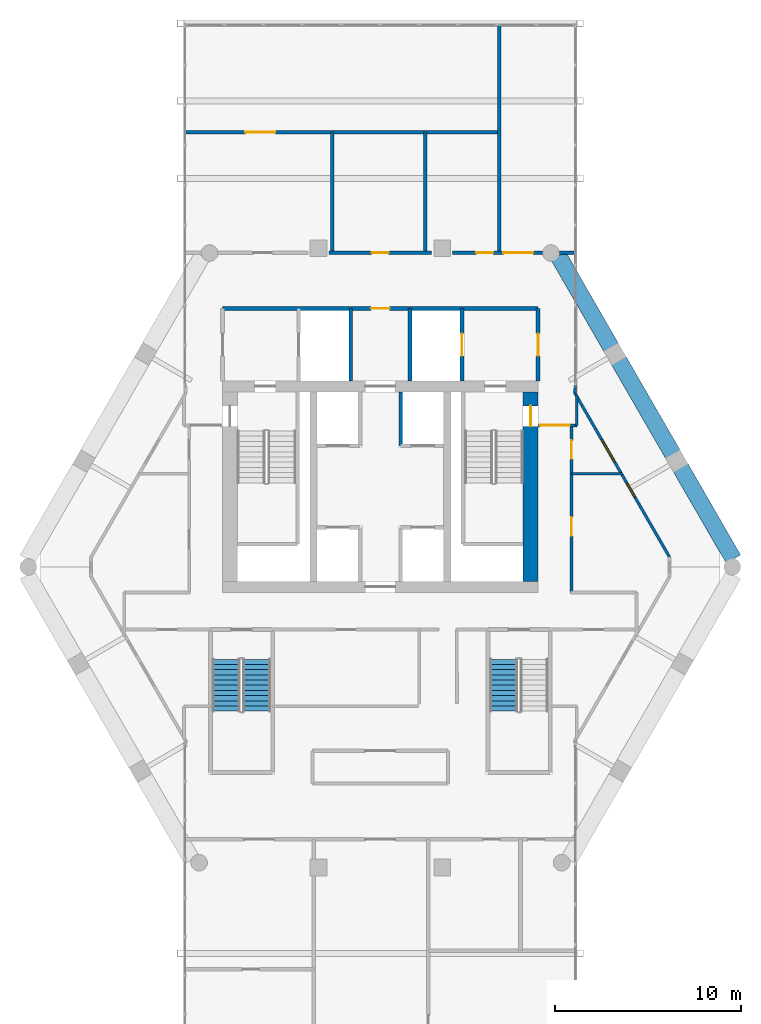
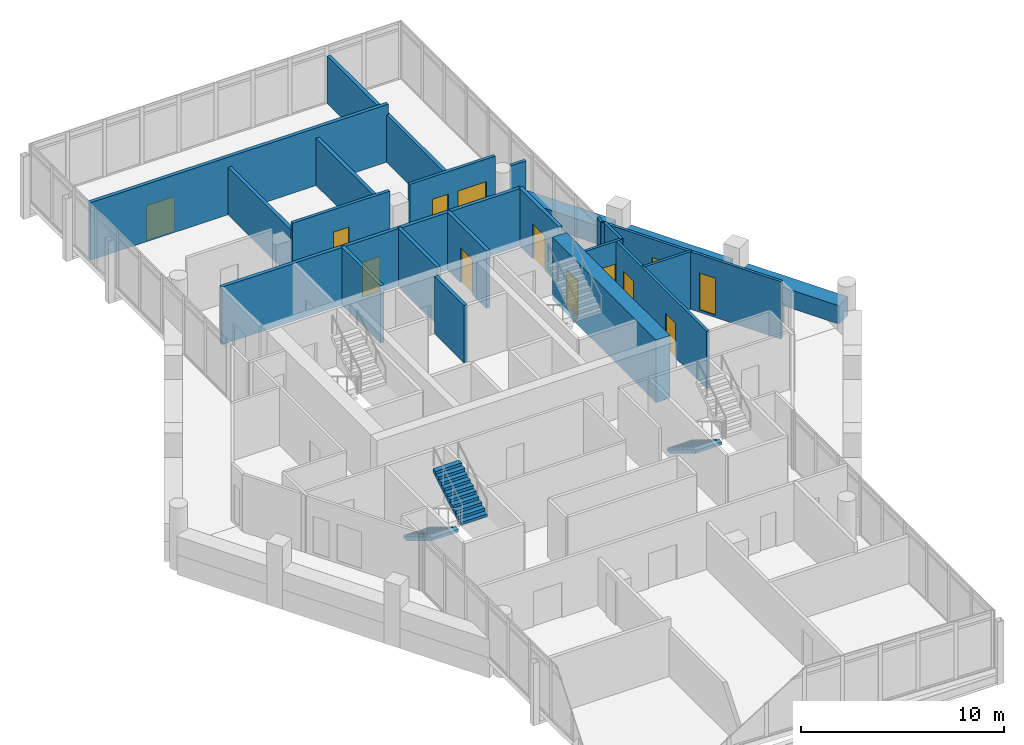
# One storey, part 23 of 25: 23 walls, 11 doors, 3 stair flights, 2 windows, 13 openings, 2 elements without a shape of their own.
"""IFC4 building model written with IfcOpenShell, lengths in metres."""

from ifc_helpers import new_model, si_unit, direction, frame, frame_2d, origin, place, context, subcontext, project, spatial, polyline, rectangle, outline, extrude, material, layer, layer_set, type_object, element, fill, aggregate, save


model = new_model("IFC4")

# Units and contexts
model_context = context("Model", 3, precision=1e-05, world=origin(), true_north=direction((0.0, 1.0)))
body_context = subcontext(model_context, "Body", "Model", "MODEL_VIEW")
ifc_project = project(units=[si_unit("LENGTHUNIT", "METRE"), si_unit("AREAUNIT", "SQUARE_METRE"), si_unit("VOLUMEUNIT", "CUBIC_METRE"), si_unit("PLANEANGLEUNIT", "RADIAN"), si_unit("MASSUNIT", "GRAM", prefix="KILO")], contexts=[model_context])

# Site, building, storey
site_placement = place(None, origin())
site = spatial("IfcSite", under=ifc_project, at=site_placement, CompositionType="ELEMENT")
building_placement = place(site_placement, origin())
building = spatial("IfcBuilding", under=site, at=building_placement, Name="Ostrander Bayou Hotel Tower", CompositionType="ELEMENT")
storey_placement = place(building_placement, frame((0.0, 0.0, 229.5)))
storey = spatial("IfcBuildingStorey", under=building, at=storey_placement, Name="L57", CompositionType="ELEMENT", Elevation=229.5)

# Wall, opening, door
ifc_material_1 = material(Name="Concrete f'c 60 MPa", Category="concrete")
ifc_layer_1 = layer(ifc_material_1, 0.800048828125)
ifc_layer_set_1 = layer_set([ifc_layer_1], Name="CW11 core spine wall 800 mm f'c 60 MPa")
wall_type_1 = type_object("IfcWallType", Name="CW11 core spine wall 800 mm f'c 60 MPa", PredefinedType="SHEAR", material=ifc_layer_set_1)
wall_1_placement = place(storey_placement, frame((8.10009765625, -1.10009765625, -0.300048828125), z_axis=(0.0, 0.0, 1.0), x_axis=(0.0, 1.0, 0.0)))
wall_1 = element("IfcWall", 1, at=wall_1_placement, inside=storey, type_object=wall_type_1, Name="CW11 L57 E", PredefinedType="SHEAR", context=body_context, shape_type="SweptSolid", body=[
    extrude(rectangle(XDim=10.2001953125, YDim=0.800048828125, at=frame_2d((5.10009765625, 0.0))), origin(), (0.0, 0.0, 1.0), 3.75),
])
opening_1_placement = place(wall_1_placement, frame((8.35009765625, 0.0, 0.0)))
opening_1 = element("IfcOpeningElement", 2, at=opening_1_placement, cuts=wall_1, Name="Opening T57-010", PredefinedType="OPENING", context=body_context, shape_type="SweptSolid", body=[
    extrude(rectangle(XDim=1.10009765625, YDim=2.10009765625, at=frame_2d((0.550048828125, 1.050048828125))), frame((0.0, 0.39990234375, 0.0), z_axis=(0.0, -1.0, 0.0), x_axis=(1.0, 0.0, 0.0)), (0.0, 0.0, 1.0), 0.800048828125),
])
ifc_material_2 = material(Name="Timber door leaf", Category="wood")
door_type_1 = type_object("IfcDoorType", Name="D5 stair door 1100 x 2100 mm, 90 minute", OperationType="SINGLE_SWING_LEFT", PredefinedType="DOOR", material=ifc_material_2)
door_1_placement = place(opening_1_placement, origin())
door_1 = element("IfcDoor", 3, at=door_1_placement, inside=storey, type_object=door_type_1, Name="dr:L57:010", OperationType="SINGLE_SWING_LEFT", OverallHeight=2.10009765625, OverallWidth=1.10009765625, PredefinedType="DOOR", context=body_context, shape_type="SweptSolid", body=[
    extrude(rectangle(XDim=1.10009765625, YDim=2.10009765625, at=frame_2d((0.550048828125, 1.050048828125))), frame((0.0, 0.02490234375, 0.0), z_axis=(0.0, -1.0, 0.0), x_axis=(1.0, 0.0, 0.0)), (0.0, 0.0, 1.0), 0.050048828125),
])
fill(opening_1, door_1)

# Wall, openings, windows
ifc_material_3 = material(Name="Aluminium framed insulated wall", Category="aluminium")
ifc_layer_2 = layer(ifc_material_3, 0.14990234375)
ifc_layer_set_2 = layer_set([ifc_layer_2], Name="GW1 glass-line wall 150 mm")
wall_type_2 = type_object("IfcWallType", Name="GW1 glass-line wall 150 mm", PredefinedType="SOLIDWALL", material=ifc_layer_set_2)
wall_2_placement = place(storey_placement, frame((15.582763671875, 0.205078125, 0.0), z_axis=(0.0, 0.0, 1.0), x_axis=(-0.49998469459, 0.866034240187, 0.0)))
wall_2 = element("IfcWall", 4, at=wall_2_placement, inside=storey, type_object=wall_type_2, Name="GW1 L57 NE 1", PredefinedType="SOLIDWALL", context=body_context, shape_type="SweptSolid", body=[
    extrude(rectangle(XDim=10.207763671875, YDim=0.14990234375, at=frame_2d((5.10400390625, 0.0))), origin(), (0.0, 0.0, 1.0), 3.449951171875),
])
opening_2_placement = place(wall_2_placement, frame((3.713623046875, 0.0, 0.14990234375)))
opening_2 = element("IfcOpeningElement", 5, at=opening_2_placement, cuts=wall_2, Name="Opening W18", PredefinedType="OPENING", context=body_context, shape_type="SweptSolid", body=[
    extrude(rectangle(XDim=0.89990234375, YDim=2.199951171875, at=frame_2d((0.449951171875, 1.10009765625))), frame((0.0, 0.074951171875, 0.0), z_axis=(0.0, -1.0, 0.0), x_axis=(1.0, 0.0, 0.0)), (0.0, 0.0, 1.0), 0.14990234375),
])
opening_3_placement = place(wall_2_placement, frame((5.913818359375, 0.0, 0.14990234375)))
opening_3 = element("IfcOpeningElement", 6, at=opening_3_placement, cuts=wall_2, Name="Opening W14", PredefinedType="OPENING", context=body_context, shape_type="SweptSolid", body=[
    extrude(rectangle(XDim=1.39990234375, YDim=2.199951171875, at=frame_2d((0.699951171875, 1.10009765625))), frame((0.0, 0.074951171875, 0.0), z_axis=(0.0, -1.0, 0.0), x_axis=(1.0, 0.0, 0.0)), (0.0, 0.0, 1.0), 0.14990234375),
])
ifc_material_4 = material(Name="Aluminium and clear glass", Category="aluminium")
window_type_1 = type_object("IfcWindowType", Name="W14 fixed window 1400 mm, bath bay, zone 4", PartitioningType="SINGLE_PANEL", PredefinedType="WINDOW", material=ifc_material_4)
window_1_placement = place(opening_3_placement, origin())
window_1 = element("IfcWindow", 7, at=window_1_placement, inside=storey, type_object=window_type_1, Name="W14 L57 NE 2", OverallHeight=2.199951171875, OverallWidth=1.39990234375, PartitioningType="SINGLE_PANEL", PredefinedType="WINDOW", context=body_context, shape_type="SweptSolid", body=[
    extrude(rectangle(XDim=1.39990234375, YDim=2.199951171875, at=frame_2d((0.699951171875, 1.10009765625))), frame((0.0, 0.030029296875, 0.0), z_axis=(0.0, -1.0, 0.0), x_axis=(1.0, 0.0, 0.0)), (0.0, 0.0, 1.0), 0.06005859375),
])
fill(opening_3, window_1)
ifc_material_5 = material(Name="Aluminium and clear glass", Category="aluminium")
window_type_2 = type_object("IfcWindowType", Name="W18 window 900 mm, zone 4", PartitioningType="SINGLE_PANEL", PredefinedType="WINDOW", material=ifc_material_5)
window_2_placement = place(opening_2_placement, origin())
window_2 = element("IfcWindow", 8, at=window_2_placement, inside=storey, type_object=window_type_2, Name="W18 L57 NE 2", OverallHeight=2.199951171875, OverallWidth=0.89990234375, PartitioningType="SINGLE_PANEL", PredefinedType="WINDOW", context=body_context, shape_type="SweptSolid", body=[
    extrude(rectangle(XDim=0.89990234375, YDim=2.199951171875, at=frame_2d((0.449951171875, 1.10009765625))), frame((0.0, 0.030029296875, 0.0), z_axis=(0.0, -1.0, 0.0), x_axis=(1.0, 0.0, 0.0)), (0.0, 0.0, 1.0), 0.06005859375),
])
fill(opening_2, window_2)

# Walls
wall_3_placement = place(storey_placement, frame((10.47900390625, 9.04541015625, 0.0), z_axis=(0.0, 0.0, 1.0), x_axis=(0.078869316502, 0.996884963732, 0.0)))
element("IfcWall", 9, at=wall_3_placement, inside=storey, type_object=wall_type_2, Name="GW1 L57 bar joint 4", PredefinedType="SOLIDWALL", context=body_context, shape_type="SweptSolid", body=[
    extrude(rectangle(XDim=0.4208984375, YDim=0.14990234375, at=frame_2d((0.21044921875, 0.0))), origin(), (0.0, 0.0, 1.0), 3.449951171875),
])
ifc_material_6 = material(Name="Concrete f'c 40 MPa", Category="concrete")
ifc_layer_3 = layer(ifc_material_6, 0.89990234375)
ifc_layer_set_3 = layer_set([ifc_layer_3], Name="PA1 stone-faced parapet 900 mm")
wall_type_3 = type_object("IfcWallType", Name="PA1 stone-faced parapet 900 mm", PredefinedType="PARAPET", material=ifc_layer_set_3)
wall_4_placement = place(storey_placement, frame((19.024169921875, 0.0947265625, 0.0), z_axis=(0.0, 0.0, 1.0), x_axis=(-0.499994028088, 0.866028851642, 0.0)))
element("IfcWall", 10, at=wall_4_placement, inside=storey, type_object=wall_type_3, Name="PA1 L57 NE-1", PredefinedType="PARAPET", context=body_context, shape_type="SweptSolid", body=[
    extrude(rectangle(XDim=5.6806640625, YDim=0.89990234375, at=frame_2d((2.84033203125, 0.0))), origin(), (0.0, 0.0, 1.0), 1.10009765625),
])
wall_5_placement = place(storey_placement, frame((15.763916015625, 5.74169921875, 0.0), z_axis=(0.0, 0.0, 1.0), x_axis=(-0.499997265274, 0.866026982673, 0.0)))
element("IfcWall", 11, at=wall_5_placement, inside=storey, type_object=wall_type_3, Name="PA1 L57 NE-2", PredefinedType="PARAPET", context=body_context, shape_type="SweptSolid", body=[
    extrude(rectangle(XDim=5.81884765625, YDim=0.89990234375, at=frame_2d((2.909423828125, 0.0))), origin(), (0.0, 0.0, 1.0), 1.10009765625),
])
wall_6_placement = place(storey_placement, frame((12.434326171875, 11.50830078125, 0.0), z_axis=(0.0, 0.0, 1.0), x_axis=(-0.499994028088, 0.866028851642, 0.0)))
element("IfcWall", 12, at=wall_6_placement, inside=storey, type_object=wall_type_3, Name="PA1 L57 NE-3", PredefinedType="PARAPET", context=body_context, shape_type="SweptSolid", body=[
    extrude(rectangle(XDim=5.6806640625, YDim=0.89990234375, at=frame_2d((2.84033203125, 0.0))), origin(), (0.0, 0.0, 1.0), 1.10009765625),
])

# Wall, opening, door
ifc_material_7 = material(Name="Gypsum board partition", Category="finish")
ifc_layer_4 = layer(ifc_material_7, 0.199951171875)
ifc_layer_set_4 = layer_set([ifc_layer_4], Name="PT3 demising wall 200 mm acoustic double stud, 1 hour")
wall_type_4 = type_object("IfcWallType", Name="PT3 demising wall 200 mm acoustic double stud, 1 hour", PredefinedType="PARTITIONING", material=ifc_layer_set_4)
wall_7_placement = place(storey_placement, frame((-10.4931640625, 23.10009765625, 0.0), z_axis=(0.0, 0.0, 1.0), x_axis=(1.0, 0.0, 0.0)))
wall_7 = element("IfcWall", 13, at=wall_7_placement, inside=storey, type_object=wall_type_4, Name="sw:L57:512", PredefinedType="PARTITIONING", context=body_context, shape_type="SweptSolid", body=[
    extrude(rectangle(XDim=16.906005859375, YDim=0.199951171875, at=frame_2d((8.453125, 0.0))), origin(), (0.0, 0.0, 1.0), 3.449951171875),
])
opening_4_placement = place(wall_7_placement, frame((3.220947265625, 0.0, 0.0)))
opening_4 = element("IfcOpeningElement", 14, at=opening_4_placement, cuts=wall_7, Name="Opening T57-1211", PredefinedType="OPENING", context=body_context, shape_type="SweptSolid", body=[
    extrude(rectangle(XDim=1.60009765625, YDim=2.10009765625, at=frame_2d((0.800048828125, 1.050048828125))), frame((0.0, 0.10009765625, 0.0), z_axis=(0.0, -1.0, 0.0), x_axis=(1.0, 0.0, 0.0)), (0.0, 0.0, 1.0), 0.199951171875),
])
ifc_material_8 = material(Name="Timber door leaf", Category="wood")
door_type_2 = type_object("IfcDoorType", Name="D13 double door 1600 x 2100 mm, 1 hour", OperationType="SINGLE_SWING_LEFT", PredefinedType="DOOR", material=ifc_material_8)
door_2_placement = place(opening_4_placement, origin())
door_2 = element("IfcDoor", 15, at=door_2_placement, inside=storey, type_object=door_type_2, Name="dr:L57:1211", OperationType="DOUBLE_DOOR_SINGLE_SWING", OverallHeight=2.10009765625, OverallWidth=1.60009765625, PredefinedType="DOOR", context=body_context, shape_type="SweptSolid", body=[
    extrude(rectangle(XDim=1.60009765625, YDim=2.10009765625, at=frame_2d((0.800048828125, 1.050048828125))), frame((0.0, 0.02490234375, 0.0), z_axis=(0.0, -1.0, 0.0), x_axis=(1.0, 0.0, 0.0)), (0.0, 0.0, 1.0), 0.050048828125),
])
fill(opening_4, door_2)

# Walls
for number, where, z_axis, x_axis, name in (
    (16, (-2.5869140625, 16.60009765625, 0.0), (0.0, 0.0, 1.0), (0.0, 1.0, 0.0), "sw:L57:514"),
    (17, (2.4130859375, 16.60009765625, 0.0), (0.0, 0.0, 1.0), (0.0, 1.0, 0.0), "sw:L57:515"),
):
    element("IfcWall", number, at=place(storey_placement, frame(where, z_axis=z_axis, x_axis=x_axis)), inside=storey, type_object=wall_type_4, Name=name, PredefinedType="PARTITIONING", context=body_context, shape_type="SweptSolid", body=[
        extrude(rectangle(XDim=6.5, YDim=0.199951171875, at=frame_2d((3.25, 0.0))), origin(), (0.0, 0.0, 1.0), 2.8388671875),
    ])
wall_8_placement = place(storey_placement, frame((6.4130859375, 16.60009765625, 0.0), z_axis=(0.0, 0.0, 1.0), x_axis=(0.0, 1.0, 0.0)))
element("IfcWall", 18, at=wall_8_placement, inside=storey, type_object=wall_type_4, Name="sw:L57:517", PredefinedType="PARTITIONING", context=body_context, shape_type="SweptSolid", body=[
    extrude(rectangle(XDim=12.24755859375, YDim=0.199951171875, at=frame_2d((6.123779296875, 0.0))), origin(), (0.0, 0.0, 1.0), 2.8388671875),
])

# Wall, opening, door
ifc_material_9 = material(Name="Gypsum board partition", Category="finish")
ifc_layer_5 = layer(ifc_material_9, 0.175048828125)
ifc_layer_set_5 = layer_set([ifc_layer_5], Name="PT4 corridor wall 175 mm, 1 hour")
wall_type_5 = type_object("IfcWallType", Name="PT4 corridor wall 175 mm, 1 hour", PredefinedType="PARTITIONING", material=ifc_layer_set_5)
wall_9_placement = place(storey_placement, frame((-2.76513671875, 16.60009765625, 0.0), z_axis=(0.0, 0.0, 1.0), x_axis=(1.0, 0.0, 0.0)))
wall_9 = element("IfcWall", 19, at=wall_9_placement, inside=storey, type_object=wall_type_5, Name="sw:L57:505", PredefinedType="PARTITIONING", context=body_context, shape_type="SweptSolid", body=[
    extrude(rectangle(XDim=5.5302734375, YDim=0.175048828125, at=frame_2d((2.76513671875, 0.0))), origin(), (0.0, 0.0, 1.0), 3.449951171875),
])
opening_5_placement = place(wall_9_placement, frame((2.315185546875, 0.0, 0.0)))
opening_5 = element("IfcOpeningElement", 20, at=opening_5_placement, cuts=wall_9, Name="Opening T57-1208", PredefinedType="OPENING", context=body_context, shape_type="SweptSolid", body=[
    extrude(rectangle(XDim=0.89990234375, YDim=2.10009765625, at=frame_2d((0.449951171875, 1.050048828125))), frame((0.0, 0.08740234375, 0.0), z_axis=(0.0, -1.0, 0.0), x_axis=(1.0, 0.0, 0.0)), (0.0, 0.0, 1.0), 0.175048828125),
])
ifc_material_10 = material(Name="Timber door leaf", Category="wood")
door_type_3 = type_object("IfcDoorType", Name="D8 room door 900 x 2100 mm", OperationType="SINGLE_SWING_LEFT", PredefinedType="DOOR", material=ifc_material_10)
door_3_placement = place(opening_5_placement, origin())
door_3 = element("IfcDoor", 21, at=door_3_placement, inside=storey, type_object=door_type_3, Name="dr:L57:1208", OperationType="SINGLE_SWING_RIGHT", OverallHeight=2.10009765625, OverallWidth=0.89990234375, PredefinedType="DOOR", context=body_context, shape_type="SweptSolid", body=[
    extrude(rectangle(XDim=0.89990234375, YDim=2.10009765625, at=frame_2d((0.449951171875, 1.050048828125))), frame((0.0, 0.02490234375, 0.0), z_axis=(0.0, -1.0, 0.0), x_axis=(1.0, 0.0, 0.0)), (0.0, 0.0, 1.0), 0.050048828125),
])
fill(opening_5, door_3)

# Wall, openings, doors
wall_10_placement = place(storey_placement, frame((3.8935546875, 16.60009765625, 0.0), z_axis=(0.0, 0.0, 1.0), x_axis=(1.0, 0.0, 0.0)))
wall_10 = element("IfcWall", 22, at=wall_10_placement, inside=storey, type_object=wall_type_5, Name="sw:L57:506", PredefinedType="PARTITIONING", context=body_context, shape_type="SweptSolid", body=[
    extrude(rectangle(XDim=4.857177734375, YDim=0.175048828125, at=frame_2d((2.4287109375, 0.0))), origin(), (0.0, 0.0, 1.0), 3.449951171875),
])
opening_6_placement = place(wall_10_placement, frame((1.2822265625, 0.0, 0.0)))
opening_6 = element("IfcOpeningElement", 23, at=opening_6_placement, cuts=wall_10, Name="Opening T57-1209", PredefinedType="OPENING", context=body_context, shape_type="SweptSolid", body=[
    extrude(rectangle(XDim=0.89990234375, YDim=2.10009765625, at=frame_2d((0.449951171875, 1.050048828125))), frame((0.0, 0.08740234375, 0.0), z_axis=(0.0, -1.0, 0.0), x_axis=(1.0, 0.0, 0.0)), (0.0, 0.0, 1.0), 0.175048828125),
])
opening_7_placement = place(wall_10_placement, frame((2.73779296875, 0.0, 0.0)))
opening_7 = element("IfcOpeningElement", 24, at=opening_7_placement, cuts=wall_10, Name="Opening T57-1210", PredefinedType="OPENING", context=body_context, shape_type="SweptSolid", body=[
    extrude(rectangle(XDim=1.60009765625, YDim=2.10009765625, at=frame_2d((0.800048828125, 1.050048828125))), frame((0.0, 0.08740234375, 0.0), z_axis=(0.0, -1.0, 0.0), x_axis=(1.0, 0.0, 0.0)), (0.0, 0.0, 1.0), 0.175048828125),
])
door_4_placement = place(opening_7_placement, origin())
door_4 = element("IfcDoor", 25, at=door_4_placement, inside=storey, type_object=door_type_2, Name="dr:L57:1210", OperationType="DOUBLE_DOOR_SINGLE_SWING", OverallHeight=2.10009765625, OverallWidth=1.60009765625, PredefinedType="DOOR", context=body_context, shape_type="SweptSolid", body=[
    extrude(rectangle(XDim=1.60009765625, YDim=2.10009765625, at=frame_2d((0.800048828125, 1.050048828125))), frame((0.0, 0.02490234375, 0.0), z_axis=(0.0, -1.0, 0.0), x_axis=(1.0, 0.0, 0.0)), (0.0, 0.0, 1.0), 0.050048828125),
])
fill(opening_7, door_4)
door_5_placement = place(opening_6_placement, origin())
door_5 = element("IfcDoor", 26, at=door_5_placement, inside=storey, type_object=door_type_3, Name="dr:L57:1209", OperationType="SINGLE_SWING_LEFT", OverallHeight=2.10009765625, OverallWidth=0.89990234375, PredefinedType="DOOR", context=body_context, shape_type="SweptSolid", body=[
    extrude(rectangle(XDim=0.89990234375, YDim=2.10009765625, at=frame_2d((0.449951171875, 1.050048828125))), frame((0.0, 0.02490234375, 0.0), z_axis=(0.0, -1.0, 0.0), x_axis=(1.0, 0.0, 0.0)), (0.0, 0.0, 1.0), 0.050048828125),
])
fill(opening_6, door_5)

# Wall
wall_11_placement = place(storey_placement, frame((9.6484375, 16.60009765625, 0.0), z_axis=(0.0, 0.0, 1.0), x_axis=(1.0, 0.0, 0.0)))
element("IfcWall", 27, at=wall_11_placement, inside=storey, type_object=wall_type_5, Name="sw:L57:507", PredefinedType="PARTITIONING", context=body_context, shape_type="SweptSolid", body=[
    extrude(rectangle(XDim=0.8447265625, YDim=0.175048828125, at=frame_2d((0.42236328125, 0.0))), origin(), (0.0, 0.0, 1.0), 2.550048828125),
])

# Wall, opening, door
ifc_material_11 = material(Name="Masonry block", Category="masonry")
ifc_layer_6 = layer(ifc_material_11, 0.199951171875)
ifc_layer_set_6 = layer_set([ifc_layer_6], Name="PT5 stair enclosure wall 200 mm masonry, 2 hour")
wall_type_6 = type_object("IfcWallType", Name="PT5 stair enclosure wall 200 mm masonry, 2 hour", PredefinedType="PARTITIONING", material=ifc_layer_set_6)
wall_12_placement = place(storey_placement, frame((-8.5, 13.60009765625, 0.0), z_axis=(0.0, 0.0, 1.0), x_axis=(1.0, 0.0, 0.0)))
wall_12 = element("IfcWall", 28, at=wall_12_placement, inside=storey, type_object=wall_type_6, Name="cs:L57:021", PredefinedType="PARTITIONING", context=body_context, shape_type="SweptSolid", body=[
    extrude(rectangle(XDim=17.0, YDim=0.199951171875, at=frame_2d((8.5, 0.0))), origin(), (0.0, 0.0, 1.0), 3.449951171875),
])
opening_8_placement = place(wall_12_placement, frame((8.0, 0.0, 0.0)))
opening_8 = element("IfcOpeningElement", 29, at=opening_8_placement, cuts=wall_12, Name="Opening T57-017", PredefinedType="OPENING", context=body_context, shape_type="SweptSolid", body=[
    extrude(rectangle(XDim=1.0, YDim=2.10009765625, at=frame_2d((0.5, 1.050048828125))), frame((0.0, 0.10009765625, 0.0), z_axis=(0.0, -1.0, 0.0), x_axis=(1.0, 0.0, 0.0)), (0.0, 0.0, 1.0), 0.199951171875),
])
ifc_material_12 = material(Name="Timber door leaf", Category="wood")
door_type_4 = type_object("IfcDoorType", Name="D9 service door 1000 x 2100 mm, 30 minute", OperationType="SINGLE_SWING_LEFT", PredefinedType="DOOR", material=ifc_material_12)
door_6_placement = place(opening_8_placement, origin())
door_6 = element("IfcDoor", 30, at=door_6_placement, inside=storey, type_object=door_type_4, Name="dr:L57:017", OperationType="SINGLE_SWING_LEFT", OverallHeight=2.10009765625, OverallWidth=1.0, PredefinedType="DOOR", context=body_context, shape_type="SweptSolid", body=[
    extrude(rectangle(XDim=1.0, YDim=2.10009765625, at=frame_2d((0.5, 1.050048828125))), frame((0.0, 0.02490234375, 0.0), z_axis=(0.0, -1.0, 0.0), x_axis=(1.0, 0.0, 0.0)), (0.0, 0.0, 1.0), 0.050048828125),
])
fill(opening_8, door_6)

wall_13_placement = place(storey_placement, frame((8.5, 9.699951171875, 0.0), z_axis=(0.0, 0.0, 1.0), x_axis=(0.0, 1.0, 0.0)))
wall_13 = element("IfcWall", 31, at=wall_13_placement, inside=storey, type_object=wall_type_6, Name="cs:L57:023", PredefinedType="PARTITIONING", context=body_context, shape_type="SweptSolid", body=[
    extrude(rectangle(XDim=3.900146484375, YDim=0.199951171875, at=frame_2d((1.9501953125, 0.0))), origin(), (0.0, 0.0, 1.0), 3.449951171875),
])
opening_9_placement = place(wall_13_placement, frame((1.35009765625, 0.0, 0.0)))
opening_9 = element("IfcOpeningElement", 32, at=opening_9_placement, cuts=wall_13, Name="Opening T57-016", PredefinedType="OPENING", context=body_context, shape_type="SweptSolid", body=[
    extrude(rectangle(XDim=1.199951171875, YDim=2.10009765625, at=frame_2d((0.60009765625, 1.050048828125))), frame((0.0, 0.10009765625, 0.0), z_axis=(0.0, -1.0, 0.0), x_axis=(1.0, 0.0, 0.0)), (0.0, 0.0, 1.0), 0.199951171875),
])
ifc_material_13 = material(Name="Timber door leaf", Category="wood")
door_type_5 = type_object("IfcDoorType", Name="D7 lobby door 1200 x 2100 mm, 1 hour", OperationType="SINGLE_SWING_LEFT", PredefinedType="DOOR", material=ifc_material_13)
door_7_placement = place(opening_9_placement, origin())
door_7 = element("IfcDoor", 33, at=door_7_placement, inside=storey, type_object=door_type_5, Name="dr:L57:016", OperationType="SINGLE_SWING_LEFT", OverallHeight=2.10009765625, OverallWidth=1.199951171875, PredefinedType="DOOR", context=body_context, shape_type="SweptSolid", body=[
    extrude(rectangle(XDim=1.199951171875, YDim=2.10009765625, at=frame_2d((0.60009765625, 1.050048828125))), frame((0.0, 0.02490234375, 0.0), z_axis=(0.0, -1.0, 0.0), x_axis=(1.0, 0.0, 0.0)), (0.0, 0.0, 1.0), 0.050048828125),
])
fill(opening_9, door_7)

wall_14_placement = place(storey_placement, frame((4.39990234375, 9.699951171875, 0.0), z_axis=(0.0, 0.0, 1.0), x_axis=(0.0, 1.0, 0.0)))
wall_14 = element("IfcWall", 34, at=wall_14_placement, inside=storey, type_object=wall_type_6, Name="cs:L57:025", PredefinedType="PARTITIONING", context=body_context, shape_type="SweptSolid", body=[
    extrude(rectangle(XDim=3.900146484375, YDim=0.199951171875, at=frame_2d((1.9501953125, 0.0))), origin(), (0.0, 0.0, 1.0), 3.449951171875),
])
opening_10_placement = place(wall_14_placement, frame((1.35009765625, 0.0, 0.0)))
opening_10 = element("IfcOpeningElement", 35, at=opening_10_placement, cuts=wall_14, Name="Opening T57-015", PredefinedType="OPENING", context=body_context, shape_type="SweptSolid", body=[
    extrude(rectangle(XDim=1.199951171875, YDim=2.10009765625, at=frame_2d((0.60009765625, 1.050048828125))), frame((0.0, 0.10009765625, 0.0), z_axis=(0.0, -1.0, 0.0), x_axis=(1.0, 0.0, 0.0)), (0.0, 0.0, 1.0), 0.199951171875),
])
ifc_material_14 = material(Name="Stainless steel sliding door", Category="steel")
door_type_6 = type_object("IfcDoorType", Name="LD1 lift landing door 1200 x 2100 mm", OperationType="SINGLE_SWING_LEFT", PredefinedType="DOOR", material=ifc_material_14)
door_8_placement = place(opening_10_placement, origin())
door_8 = element("IfcDoor", 36, at=door_8_placement, inside=storey, type_object=door_type_6, Name="dr:L57:015", OperationType="SLIDING_TO_LEFT", OverallHeight=2.10009765625, OverallWidth=1.199951171875, PredefinedType="DOOR", context=body_context, shape_type="SweptSolid", body=[
    extrude(rectangle(XDim=1.199951171875, YDim=2.10009765625, at=frame_2d((0.60009765625, 1.050048828125))), frame((0.0, 0.02490234375, 0.0), z_axis=(0.0, -1.0, 0.0), x_axis=(1.0, 0.0, 0.0)), (0.0, 0.0, 1.0), 0.050048828125),
])
fill(opening_10, door_8)

# Walls
ifc_material_15 = material(Name="Masonry block", Category="masonry")
ifc_layer_7 = layer(ifc_material_15, 0.199951171875)
ifc_layer_set_7 = layer_set([ifc_layer_7], Name="PT6 lift shaft wall 200 mm masonry, 2 hour")
wall_type_7 = type_object("IfcWallType", Name="PT6 lift shaft wall 200 mm masonry, 2 hour", PredefinedType="PARTITIONING", material=ifc_layer_set_7)
wall_15_placement = place(storey_placement, frame((1.10009765625, 6.199951171875, 0.0), z_axis=(0.0, 0.0, 1.0), x_axis=(0.0, 1.0, 0.0)))
element("IfcWall", 37, at=wall_15_placement, inside=storey, type_object=wall_type_7, Name="cs:L57:008", PredefinedType="PARTITIONING", context=body_context, shape_type="SweptSolid", body=[
    extrude(rectangle(XDim=2.900146484375, YDim=0.199951171875, at=frame_2d((1.4501953125, 0.0))), origin(), (0.0, 0.0, 1.0), 3.449951171875),
])
for number, where, z_axis, x_axis, name in (
    (38, (-1.60009765625, 9.699951171875, 0.0), (0.0, 0.0, 1.0), (0.0, 1.0, 0.0), "cs:L57:026"),
    (39, (1.60009765625, 9.699951171875, 0.0), (0.0, 0.0, 1.0), (0.0, 1.0, 0.0), "cs:L57:027"),
):
    element("IfcWall", number, at=place(storey_placement, frame(where, z_axis=z_axis, x_axis=x_axis)), inside=storey, type_object=wall_type_7, Name=name, PredefinedType="PARTITIONING", context=body_context, shape_type="SweptSolid", body=[
        extrude(rectangle(XDim=3.900146484375, YDim=0.199951171875, at=frame_2d((1.9501953125, 0.0))), origin(), (0.0, 0.0, 1.0), 3.449951171875),
    ])
ifc_material_16 = material(Name="Gypsum board partition", Category="finish")
ifc_layer_8 = layer(ifc_material_16, 0.14990234375)
ifc_layer_set_8 = layer_set([ifc_layer_8], Name="PT8 service band wall 150 mm, 1 hour")
wall_type_8 = type_object("IfcWallType", Name="PT8 service band wall 150 mm, 1 hour", PredefinedType="PARTITIONING", material=ifc_layer_set_8)
wall_16_placement = place(storey_placement, frame((10.300048828125, 4.699951171875, 0.0), z_axis=(0.0, 0.0, 1.0), x_axis=(1.0, 0.0, 0.0)))
element("IfcWall", 40, at=wall_16_placement, inside=storey, type_object=wall_type_8, Name="gw:L57:011", PredefinedType="PARTITIONING", context=body_context, shape_type="SweptSolid", body=[
    extrude(rectangle(XDim=2.739990234375, YDim=0.14990234375, at=frame_2d((1.3701171875, 0.0))), origin(), (0.0, 0.0, 1.0), 3.449951171875),
])

# Wall, opening, door
wall_17_placement = place(storey_placement, frame((8.510009765625, 7.300048828125, 0.0), z_axis=(0.0, 0.0, 1.0), x_axis=(1.0, 0.0, 0.0)))
wall_17 = element("IfcWall", 41, at=wall_17_placement, inside=storey, type_object=wall_type_8, Name="gw:L57:013", PredefinedType="PARTITIONING", context=body_context, shape_type="SweptSolid", body=[
    extrude(rectangle(XDim=2.074951171875, YDim=0.14990234375, at=frame_2d((1.03759765625, 0.0))), origin(), (0.0, 0.0, 1.0), 3.449951171875),
])
opening_11_placement = place(wall_17_placement, frame((0.10009765625, 0.0, 0.0)))
opening_11 = element("IfcOpeningElement", 42, at=opening_11_placement, cuts=wall_17, Name="Opening T57-1213", PredefinedType="OPENING", context=body_context, shape_type="SweptSolid", body=[
    extrude(rectangle(XDim=1.60009765625, YDim=2.10009765625, at=frame_2d((0.800048828125, 1.050048828125))), frame((0.0, 0.074951171875, 0.0), z_axis=(0.0, -1.0, 0.0), x_axis=(1.0, 0.0, 0.0)), (0.0, 0.0, 1.0), 0.14990234375),
])
door_9_placement = place(opening_11_placement, origin())
door_9 = element("IfcDoor", 43, at=door_9_placement, inside=storey, type_object=door_type_2, Name="dr:L57:1213", OperationType="DOUBLE_DOOR_SINGLE_SWING", OverallHeight=2.10009765625, OverallWidth=1.60009765625, PredefinedType="DOOR", context=body_context, shape_type="SweptSolid", body=[
    extrude(rectangle(XDim=1.60009765625, YDim=2.10009765625, at=frame_2d((0.800048828125, 1.050048828125))), frame((0.0, 0.02490234375, 0.0), z_axis=(0.0, -1.0, 0.0), x_axis=(1.0, 0.0, 0.0)), (0.0, 0.0, 1.0), 0.050048828125),
])
fill(opening_11, door_9)

# Wall
wall_18_placement = place(storey_placement, frame((10.5849609375, 7.300048828125, 0.0), z_axis=(0.0, 0.0, 1.0), x_axis=(0.0, 1.0, 0.0)))
element("IfcWall", 44, at=wall_18_placement, inside=storey, type_object=wall_type_8, Name="gw:L57:016", PredefinedType="PARTITIONING", context=body_context, shape_type="SweptSolid", body=[
    extrude(rectangle(XDim=1.65185546875, YDim=0.14990234375, at=frame_2d((0.825927734375, 0.0))), origin(), (0.0, 0.0, 1.0), 3.449951171875),
])

# Wall, openings, doors
wall_19_placement = place(storey_placement, frame((10.300048828125, -1.699951171875, 0.0), z_axis=(0.0, 0.0, 1.0), x_axis=(0.0, 1.0, 0.0)))
wall_19 = element("IfcWall", 45, at=wall_19_placement, inside=storey, type_object=wall_type_8, Name="gw:L57:017", PredefinedType="PARTITIONING", context=body_context, shape_type="SweptSolid", body=[
    extrude(rectangle(XDim=9.0, YDim=0.14990234375, at=frame_2d((4.5, 0.0))), origin(), (0.0, 0.0, 1.0), 3.449951171875),
])
opening_12_placement = place(wall_19_placement, frame((3.053955078125, 0.0, 0.0)))
opening_12 = element("IfcOpeningElement", 46, at=opening_12_placement, cuts=wall_19, Name="Opening T57-405", PredefinedType="OPENING", context=body_context, shape_type="SweptSolid", body=[
    extrude(rectangle(XDim=1.0, YDim=2.10009765625, at=frame_2d((0.5, 1.050048828125))), frame((0.0, 0.074951171875, 0.0), z_axis=(0.0, -1.0, 0.0), x_axis=(1.0, 0.0, 0.0)), (0.0, 0.0, 1.0), 0.14990234375),
])
opening_13_placement = place(wall_19_placement, frame((7.199951171875, 0.0, 0.0)))
opening_13 = element("IfcOpeningElement", 47, at=opening_13_placement, cuts=wall_19, Name="Opening T57-406", PredefinedType="OPENING", context=body_context, shape_type="SweptSolid", body=[
    extrude(rectangle(XDim=1.0, YDim=2.10009765625, at=frame_2d((0.5, 1.050048828125))), frame((0.0, 0.074951171875, 0.0), z_axis=(0.0, -1.0, 0.0), x_axis=(1.0, 0.0, 0.0)), (0.0, 0.0, 1.0), 0.14990234375),
])
ifc_material_17 = material(Name="Timber door leaf", Category="wood")
door_type_7 = type_object("IfcDoorType", Name="D15 room door 1000 x 2100 mm", OperationType="SINGLE_SWING_LEFT", PredefinedType="DOOR", material=ifc_material_17)
door_10_placement = place(opening_12_placement, origin())
door_10 = element("IfcDoor", 48, at=door_10_placement, inside=storey, type_object=door_type_7, Name="dr:L57:405", OperationType="SINGLE_SWING_RIGHT", OverallHeight=2.10009765625, OverallWidth=1.0, PredefinedType="DOOR", context=body_context, shape_type="SweptSolid", body=[
    extrude(rectangle(XDim=1.0, YDim=2.10009765625, at=frame_2d((0.5, 1.050048828125))), frame((0.0, 0.02490234375, 0.0), z_axis=(0.0, -1.0, 0.0), x_axis=(1.0, 0.0, 0.0)), (0.0, 0.0, 1.0), 0.050048828125),
])
fill(opening_12, door_10)
door_11_placement = place(opening_13_placement, origin())
door_11 = element("IfcDoor", 49, at=door_11_placement, inside=storey, type_object=door_type_4, Name="dr:L57:406", OperationType="SINGLE_SWING_LEFT", OverallHeight=2.10009765625, OverallWidth=1.0, PredefinedType="DOOR", context=body_context, shape_type="SweptSolid", body=[
    extrude(rectangle(XDim=1.0, YDim=2.10009765625, at=frame_2d((0.5, 1.050048828125))), frame((0.0, 0.02490234375, 0.0), z_axis=(0.0, -1.0, 0.0), x_axis=(1.0, 0.0, 0.0)), (0.0, 0.0, 1.0), 0.050048828125),
])
fill(opening_13, door_11)

# Stair, stair flight
ifc_material_18 = material(Name="Concrete f'c 45 MPa", Category="concrete")
stair_type = type_object("IfcStairType", Name="ST1 exit stair 1500 mm f'c 45 MPa", PredefinedType="HALF_TURN_STAIR", material=ifc_material_18)
stair_1_placement = place(storey_placement, origin())
stair_1 = element("IfcStair", 50, at=stair_1_placement, inside=storey, type_object=stair_type, Name="L57 exit stair C", PredefinedType="HALF_TURN_STAIR")
ifc_material_19 = material(Name="Concrete f'c 45 MPa", Category="concrete")
stair_flight_type = type_object("IfcStairFlightType", Name="SF1 stair flight 1500 mm f'c 45 MPa", PredefinedType="STRAIGHT", material=ifc_material_19)
stair_flight_1_placement = place(storey_placement, frame((6.64990234375, -5.300048828125, 0.0), z_axis=(0.0, 0.0, 1.0), x_axis=(0.0, -1.0, 0.0)))
stair_flight_1 = element("IfcStairFlight", 51, at=stair_flight_1_placement, type_object=stair_flight_type, Name="STC flight 1", NumberOfRisers=11, NumberOfTreads=10, PredefinedType="STRAIGHT", RiserHeight=0.170454545, TreadLength=0.28, context=body_context, shape_type="SweptSolid", body=[
    extrude(outline(polyline([(0.0, 0.0), (0.0, 0.17041015625), (0.280029296875, 0.17041015625), (0.280029296875, 0.3408203125), (0.56005859375, 0.3408203125), (0.56005859375, 0.511474609375), (0.840087890625, 0.511474609375), (0.840087890625, 0.681884765625), (1.1201171875, 0.681884765625), (1.1201171875, 0.852294921875), (1.39990234375, 0.852294921875), (1.39990234375, 1.022705078125), (1.679931640625, 1.022705078125), (1.679931640625, 1.193115234375), (1.9599609375, 1.193115234375), (1.9599609375, 1.363525390625), (2.239990234375, 1.363525390625), (2.239990234375, 1.5341796875), (2.52001953125, 1.5341796875), (2.52001953125, 1.70458984375), (2.800048828125, 1.70458984375), (2.800048828125, 1.875), (2.800048828125, 1.529052734375), (0.288330078125, 0.0), (0.0, 0.0)])), frame((0.0, 0.75, 0.0), z_axis=(0.0, -1.0, 0.0), x_axis=(1.0, 0.0, 0.0)), (0.0, 0.0, 1.0), 1.5),
])
aggregate(stair_1, [stair_flight_1])

# Stair, stair flights
stair_2_placement = place(storey_placement, origin())
stair_2 = element("IfcStair", 52, at=stair_2_placement, inside=storey, type_object=stair_type, Name="L57 exit stair D", PredefinedType="HALF_TURN_STAIR")
stair_flight_2_placement = place(storey_placement, frame((-8.300048828125, -5.300048828125, 0.0), z_axis=(0.0, 0.0, 1.0), x_axis=(0.0, -1.0, 0.0)))
stair_flight_2 = element("IfcStairFlight", 53, at=stair_flight_2_placement, type_object=stair_flight_type, Name="STD flight 1", NumberOfRisers=11, NumberOfTreads=10, PredefinedType="STRAIGHT", RiserHeight=0.170454545, TreadLength=0.28, context=body_context, shape_type="SweptSolid", body=[
    extrude(outline(polyline([(0.0, 0.0), (0.0, 0.17041015625), (0.280029296875, 0.17041015625), (0.280029296875, 0.3408203125), (0.56005859375, 0.3408203125), (0.56005859375, 0.511474609375), (0.840087890625, 0.511474609375), (0.840087890625, 0.681884765625), (1.1201171875, 0.681884765625), (1.1201171875, 0.852294921875), (1.39990234375, 0.852294921875), (1.39990234375, 1.022705078125), (1.679931640625, 1.022705078125), (1.679931640625, 1.193115234375), (1.9599609375, 1.193115234375), (1.9599609375, 1.363525390625), (2.239990234375, 1.363525390625), (2.239990234375, 1.5341796875), (2.52001953125, 1.5341796875), (2.52001953125, 1.70458984375), (2.800048828125, 1.70458984375), (2.800048828125, 1.875), (2.800048828125, 1.529052734375), (0.288330078125, 0.0), (0.0, 0.0)])), frame((0.0, 0.75, 0.0), z_axis=(0.0, -1.0, 0.0), x_axis=(1.0, 0.0, 0.0)), (0.0, 0.0, 1.0), 1.5),
])
stair_flight_3_placement = place(storey_placement, frame((-6.64990234375, -8.10009765625, 1.875), z_axis=(0.0, 0.0, 1.0), x_axis=(0.0, 1.0, 0.0)))
stair_flight_3 = element("IfcStairFlight", 54, at=stair_flight_3_placement, type_object=stair_flight_type, Name="STD flight 2", NumberOfRisers=11, NumberOfTreads=10, PredefinedType="STRAIGHT", RiserHeight=0.170454545, TreadLength=0.28, context=body_context, shape_type="SweptSolid", body=[
    extrude(outline(polyline([(0.0, 0.0), (0.0, 0.17041015625), (0.280029296875, 0.17041015625), (0.280029296875, 0.3408203125), (0.56005859375, 0.3408203125), (0.56005859375, 0.511474609375), (0.840087890625, 0.511474609375), (0.840087890625, 0.681884765625), (1.1201171875, 0.681884765625), (1.1201171875, 0.852294921875), (1.39990234375, 0.852294921875), (1.39990234375, 1.022705078125), (1.679931640625, 1.022705078125), (1.679931640625, 1.193115234375), (1.9599609375, 1.193115234375), (1.9599609375, 1.363525390625), (2.239990234375, 1.363525390625), (2.239990234375, 1.5341796875), (2.52001953125, 1.5341796875), (2.52001953125, 1.70458984375), (2.800048828125, 1.70458984375), (2.800048828125, 1.875), (2.800048828125, 1.529052734375), (0.288330078125, 0.0), (0.0, 0.0)])), frame((0.0, 0.75, 0.0), z_axis=(0.0, -1.0, 0.0), x_axis=(1.0, 0.0, 0.0)), (0.0, 0.0, 1.0), 1.5),
])
aggregate(stair_2, [stair_flight_2, stair_flight_3])

save(model, "model.ifc")
